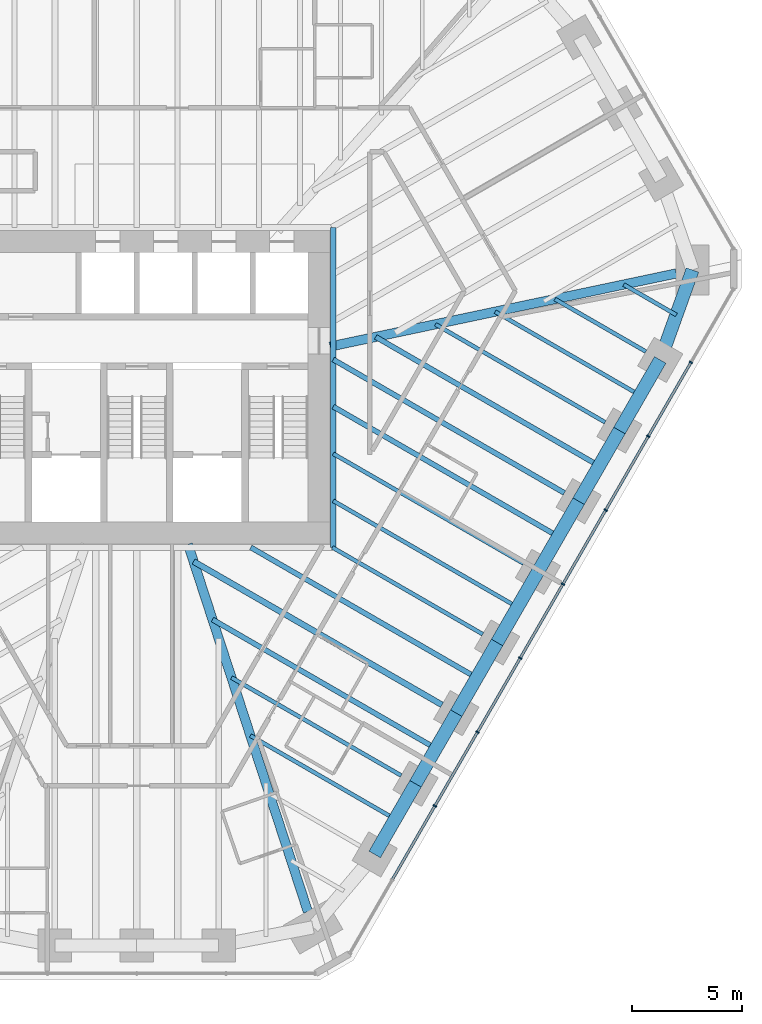
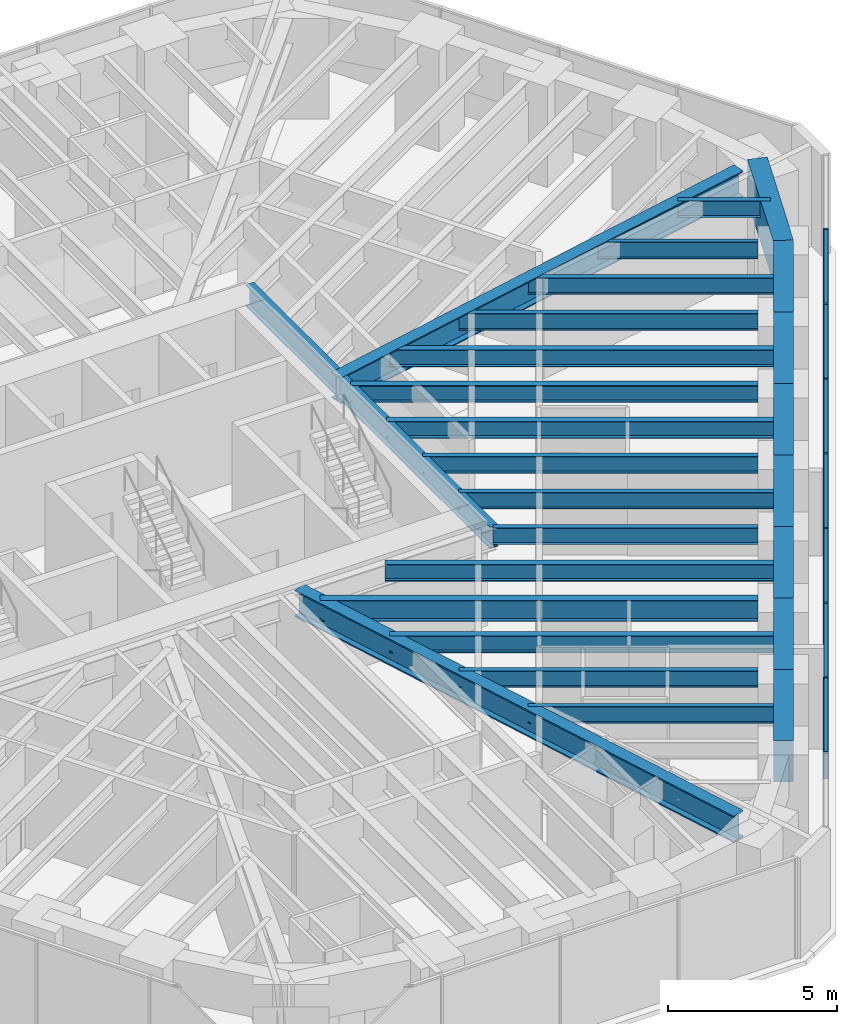
# One storey, part 5 of 16: 26 beams, 14 members, 1 element without a shape of its own.
"""IFC4 building model written with IfcOpenShell, lengths in metres."""

from ifc_helpers import new_model, si_unit, direction, frame, origin, origin_2d, place, context, subcontext, project, spatial, rectangle, i_section, extrude, material, material_profile, profile_set, type_object, element, aggregate, save


model = new_model("IFC4")

# Units and contexts
model_context = context("Model", 3, precision=1e-05, world=origin(), true_north=direction((0.0, 1.0)))
body_context = subcontext(model_context, "Body", "Model", "MODEL_VIEW")
ifc_project = project(units=[si_unit("LENGTHUNIT", "METRE"), si_unit("AREAUNIT", "SQUARE_METRE"), si_unit("VOLUMEUNIT", "CUBIC_METRE"), si_unit("PLANEANGLEUNIT", "RADIAN"), si_unit("MASSUNIT", "GRAM", prefix="KILO")], contexts=[model_context])

# Site, building, storey
site_placement = place(None, origin())
site = spatial("IfcSite", under=ifc_project, at=site_placement, CompositionType="ELEMENT")
building_placement = place(site_placement, origin())
building = spatial("IfcBuilding", under=site, at=building_placement, Name="Sandreach Pilgrim Tower", CompositionType="ELEMENT")
storey_placement = place(building_placement, frame((0.0, 0.0, 228.800048828125)))
storey = spatial("IfcBuildingStorey", under=building, at=storey_placement, Name="L57", CompositionType="ELEMENT", Elevation=228.800048828125)

# Curtain wall, members
ifc_material_1 = material(Name="Aluminium framed curtain wall", Category="aluminium")
curtain_wall_type = type_object("IfcCurtainWallType", Name="Upper hotel tower curtain wall", PredefinedType="NOTDEFINED", material=ifc_material_1)
curtain_wall_placement = place(storey_placement, origin())
curtain_wall = element("IfcCurtainWall", 1, at=curtain_wall_placement, inside=storey, type_object=curtain_wall_type, Name="CW-3 L57 SE", PredefinedType="NOTDEFINED")
ifc_material_2 = material(Name="Aluminium extrusion", Category="aluminium")
ifc_material_profile_1 = material_profile(ifc_material_2, rectangle(XDim=0.06494140625, YDim=0.159912109375, at=origin_2d()), Name="CW-3M 65X160")
ifc_profile_set_1 = profile_set([ifc_material_profile_1], Name="Aluminium extrusion")
member_type_1 = type_object("IfcMemberType", Name="CW-3 mullion", PredefinedType="MULLION", material=ifc_profile_set_1)
member_1_placement = place(storey_placement, frame((25.087890625, 1.13330078125, 0.0), z_axis=(0.0, 0.0, 1.0), x_axis=(-0.5, -0.866025403784, 0.0)))
member_1 = element("IfcMember", 2, at=member_1_placement, type_object=member_type_1, Name="CW-3 mullion 2", PredefinedType="MULLION", context=body_context, shape_type="SweptSolid", body=[
    extrude(rectangle(XDim=0.06494140625, YDim=0.159912109375, at=origin_2d()), origin(), (0.0, 0.0, 1.0), 3.639892578125),
])
member_2_placement = place(storey_placement, frame((23.15576171875, -2.21337890625, 0.0), z_axis=(0.0, 0.0, 1.0), x_axis=(-0.5, -0.866025403784, 0.0)))
member_2 = element("IfcMember", 3, at=member_2_placement, type_object=member_type_1, Name="CW-3 mullion 3", PredefinedType="MULLION", context=body_context, shape_type="SweptSolid", body=[
    extrude(rectangle(XDim=0.06494140625, YDim=0.159912109375, at=origin_2d()), origin(), (0.0, 0.0, 1.0), 3.639892578125),
])
member_3_placement = place(storey_placement, frame((21.223388671875, -5.56005859375, 0.0), z_axis=(0.0, 0.0, 1.0), x_axis=(-0.5, -0.866025403784, 0.0)))
member_3 = element("IfcMember", 4, at=member_3_placement, type_object=member_type_1, Name="CW-3 mullion 4", PredefinedType="MULLION", context=body_context, shape_type="SweptSolid", body=[
    extrude(rectangle(XDim=0.06494140625, YDim=0.159912109375, at=origin_2d()), origin(), (0.0, 0.0, 1.0), 3.639892578125),
])
member_4_placement = place(storey_placement, frame((19.291259765625, -8.90673828125, 0.0), z_axis=(0.0, 0.0, 1.0), x_axis=(-0.5, -0.866025403784, 0.0)))
member_4 = element("IfcMember", 5, at=member_4_placement, type_object=member_type_1, Name="CW-3 mullion 5", PredefinedType="MULLION", context=body_context, shape_type="SweptSolid", body=[
    extrude(rectangle(XDim=0.06494140625, YDim=0.159912109375, at=origin_2d()), origin(), (0.0, 0.0, 1.0), 3.639892578125),
])
member_5_placement = place(storey_placement, frame((17.359130859375, -12.25341796875, 0.0), z_axis=(0.0, 0.0, 1.0), x_axis=(-0.5, -0.866025403784, 0.0)))
member_5 = element("IfcMember", 6, at=member_5_placement, type_object=member_type_1, Name="CW-3 mullion 6", PredefinedType="MULLION", context=body_context, shape_type="SweptSolid", body=[
    extrude(rectangle(XDim=0.06494140625, YDim=0.159912109375, at=origin_2d()), origin(), (0.0, 0.0, 1.0), 3.639892578125),
])
member_6_placement = place(storey_placement, frame((15.4267578125, -15.60009765625, 0.0), z_axis=(0.0, 0.0, 1.0), x_axis=(-0.5, -0.866025403784, 0.0)))
member_6 = element("IfcMember", 7, at=member_6_placement, type_object=member_type_1, Name="CW-3 mullion 7", PredefinedType="MULLION", context=body_context, shape_type="SweptSolid", body=[
    extrude(rectangle(XDim=0.06494140625, YDim=0.159912109375, at=origin_2d()), origin(), (0.0, 0.0, 1.0), 3.639892578125),
])
member_7_placement = place(storey_placement, frame((13.49462890625, -18.94677734375, 0.0), z_axis=(0.0, 0.0, 1.0), x_axis=(-0.5, -0.866025403784, 0.0)))
member_7 = element("IfcMember", 8, at=member_7_placement, type_object=member_type_1, Name="CW-3 mullion 8", PredefinedType="MULLION", context=body_context, shape_type="SweptSolid", body=[
    extrude(rectangle(XDim=0.06494140625, YDim=0.159912109375, at=origin_2d()), origin(), (0.0, 0.0, 1.0), 3.639892578125),
])
ifc_material_3 = material(Name="Aluminium extrusion", Category="aluminium")
ifc_material_profile_2 = material_profile(ifc_material_3, rectangle(XDim=0.1201171875, YDim=0.070068359375, at=origin_2d()), Name="CW-3T 120X70")
ifc_profile_set_2 = profile_set([ifc_material_profile_2], Name="Aluminium extrusion")
member_type_2 = type_object("IfcMemberType", Name="CW-3 transom", PredefinedType="USERDEFINED", material=ifc_profile_set_2)
member_8_placement = place(storey_placement, frame((25.07177734375, 1.105224609375, 3.60498046875), z_axis=(-0.500022797313, -0.86601224135, 0.0), x_axis=(0.86601224135, -0.500022797313, 0.0)))
member_8 = element("IfcMember", 9, at=member_8_placement, type_object=member_type_2, Name="CW-3 head transom 2", ObjectType="TRANSOM", PredefinedType="USERDEFINED", context=body_context, shape_type="SweptSolid", body=[
    extrude(rectangle(XDim=0.1201171875, YDim=0.070068359375, at=origin_2d()), origin(), (0.0, 0.0, 1.0), 3.799560546875),
])
member_9_placement = place(storey_placement, frame((23.139404296875, -2.241455078125, 3.60498046875), z_axis=(-0.499974606132, -0.866040064445, 0.0), x_axis=(0.866040064445, -0.499974606132, 0.0)))
member_9 = element("IfcMember", 10, at=member_9_placement, type_object=member_type_2, Name="CW-3 head transom 3", ObjectType="TRANSOM", PredefinedType="USERDEFINED", context=body_context, shape_type="SweptSolid", body=[
    extrude(rectangle(XDim=0.1201171875, YDim=0.070068359375, at=origin_2d()), origin(), (0.0, 0.0, 1.0), 3.799560546875),
])
member_10_placement = place(storey_placement, frame((21.207275390625, -5.588134765625, 3.60498046875), z_axis=(-0.499974606132, -0.866040064445, 0.0), x_axis=(0.866040064445, -0.499974606132, 0.0)))
member_10 = element("IfcMember", 11, at=member_10_placement, type_object=member_type_2, Name="CW-3 head transom 4", ObjectType="TRANSOM", PredefinedType="USERDEFINED", context=body_context, shape_type="SweptSolid", body=[
    extrude(rectangle(XDim=0.1201171875, YDim=0.070068359375, at=origin_2d()), origin(), (0.0, 0.0, 1.0), 3.799560546875),
])
member_11_placement = place(storey_placement, frame((19.275146484375, -8.934814453125, 3.60498046875), z_axis=(-0.500022797313, -0.86601224135, 0.0), x_axis=(0.86601224135, -0.500022797313, 0.0)))
member_11 = element("IfcMember", 12, at=member_11_placement, type_object=member_type_2, Name="CW-3 head transom 5", ObjectType="TRANSOM", PredefinedType="USERDEFINED", context=body_context, shape_type="SweptSolid", body=[
    extrude(rectangle(XDim=0.1201171875, YDim=0.070068359375, at=origin_2d()), origin(), (0.0, 0.0, 1.0), 3.799560546875),
])
member_12_placement = place(storey_placement, frame((17.3427734375, -12.281494140625, 3.60498046875), z_axis=(-0.499974606132, -0.866040064445, 0.0), x_axis=(0.866040064445, -0.499974606132, 0.0)))
member_12 = element("IfcMember", 13, at=member_12_placement, type_object=member_type_2, Name="CW-3 head transom 6", ObjectType="TRANSOM", PredefinedType="USERDEFINED", context=body_context, shape_type="SweptSolid", body=[
    extrude(rectangle(XDim=0.1201171875, YDim=0.070068359375, at=origin_2d()), origin(), (0.0, 0.0, 1.0), 3.799560546875),
])
member_13_placement = place(storey_placement, frame((15.41064453125, -15.628173828125, 3.60498046875), z_axis=(-0.499974606132, -0.866040064445, 0.0), x_axis=(0.866040064445, -0.499974606132, 0.0)))
member_13 = element("IfcMember", 14, at=member_13_placement, type_object=member_type_2, Name="CW-3 head transom 7", ObjectType="TRANSOM", PredefinedType="USERDEFINED", context=body_context, shape_type="SweptSolid", body=[
    extrude(rectangle(XDim=0.1201171875, YDim=0.070068359375, at=origin_2d()), origin(), (0.0, 0.0, 1.0), 3.799560546875),
])
member_14_placement = place(storey_placement, frame((13.478515625, -18.974853515625, 3.60498046875), z_axis=(-0.500022797313, -0.86601224135, 0.0), x_axis=(0.86601224135, -0.500022797313, 0.0)))
member_14 = element("IfcMember", 15, at=member_14_placement, type_object=member_type_2, Name="CW-3 head transom 8", ObjectType="TRANSOM", PredefinedType="USERDEFINED", context=body_context, shape_type="SweptSolid", body=[
    extrude(rectangle(XDim=0.1201171875, YDim=0.070068359375, at=origin_2d()), origin(), (0.0, 0.0, 1.0), 3.799560546875),
])
aggregate(curtain_wall, [member_1, member_2, member_3, member_4, member_5, member_6, member_7, member_8, member_9, member_10, member_11, member_12, member_13, member_14])

# Beams
ifc_material_4 = material(Name="Steel ASTM A992 Grade 50", Category="steel")
ifc_material_profile_3 = material_profile(ifc_material_4, i_section(OverallWidth=0.2666015625, OverallDepth=0.77978515625, WebThickness=0.0166015625, FlangeThickness=0.030029296875, at=origin_2d()), Name="W30X148")
ifc_profile_set_3 = profile_set([ifc_material_profile_3], Name="Steel ASTM A992 Grade 50")
beam_type_1 = type_object("IfcBeamType", Name="Core edge beam W30X148", PredefinedType="BEAM", material=ifc_profile_set_3)
beam_1_placement = place(storey_placement, frame((8.893310546875, 7.243408203125, 3.25), z_axis=(0.0, -1.0, 0.0), x_axis=(1.0, 0.0, 0.0)))
element("IfcBeam", 16, at=beam_1_placement, inside=storey, type_object=beam_type_1, Name="BM L57 CEE", PredefinedType="BEAM", context=body_context, shape_type="SweptSolid", body=[
    extrude(i_section(OverallWidth=0.2666015625, OverallDepth=0.77978515625, WebThickness=0.0166015625, FlangeThickness=0.030029296875, at=origin_2d()), origin(), (0.0, 0.0, 1.0), 14.48681640625),
])
ifc_material_5 = material(Name="Steel ASTM A992 Grade 50", Category="steel")
ifc_material_profile_4 = material_profile(ifc_material_5, i_section(OverallWidth=0.421630859375, OverallDepth=0.937255859375, WebThickness=0.0224609375, FlangeThickness=0.039794921875, at=origin_2d()), Name="W36X282")
ifc_profile_set_4 = profile_set([ifc_material_profile_4], Name="Steel ASTM A992 Grade 50")
beam_type_2 = type_object("IfcBeamType", Name="Corner girder W36X282", PredefinedType="BEAM", material=ifc_profile_set_4)
beam_2_placement = place(storey_placement, frame((24.422607421875, 5.156494140625, 3.17138671875), z_axis=(-0.978428978804, -0.206583478132, 0.0), x_axis=(0.206583478132, -0.978428978804, 0.0)))
element("IfcBeam", 17, at=beam_2_placement, inside=storey, type_object=beam_type_2, Name="BM L57 CG13", PredefinedType="BEAM", context=body_context, shape_type="SweptSolid", body=[
    extrude(i_section(OverallWidth=0.421630859375, OverallDepth=0.937255859375, WebThickness=0.0224609375, FlangeThickness=0.039794921875, at=origin_2d()), origin(), (0.0, 0.0, 1.0), 16.01806640625),
])
ifc_material_6 = material(Name="Steel ASTM A992 Grade 50", Category="steel")
ifc_material_profile_5 = material_profile(ifc_material_6, i_section(OverallWidth=0.421630859375, OverallDepth=0.95751953125, WebThickness=0.02587890625, FlangeThickness=0.046875, at=origin_2d()), Name="W36X330")
ifc_profile_set_5 = profile_set([ifc_material_profile_5], Name="Steel ASTM A992 Grade 50")
beam_type_3 = type_object("IfcBeamType", Name="Corner girder W36X330", PredefinedType="BEAM", material=ifc_profile_set_5)
beam_3_placement = place(storey_placement, frame((7.745849609375, -23.72900390625, 3.1611328125), z_axis=(-0.310317870968, 0.950632851819, 0.0), x_axis=(-0.950632851819, -0.310317870968, 0.0)))
element("IfcBeam", 18, at=beam_3_placement, inside=storey, type_object=beam_type_3, Name="BM L57 CG22", PredefinedType="BEAM", context=body_context, shape_type="SweptSolid", body=[
    extrude(i_section(OverallWidth=0.421630859375, OverallDepth=0.95751953125, WebThickness=0.02587890625, FlangeThickness=0.046875, at=origin_2d()), origin(), (0.0, 0.0, 1.0), 17.492431640625),
])
ifc_material_7 = material(Name="Steel ASTM A992 Grade 50", Category="steel")
ifc_material_profile_6 = material_profile(ifc_material_7, i_section(OverallWidth=0.1787109375, OverallDepth=0.60205078125, WebThickness=0.010986328125, FlangeThickness=0.014892578125, at=origin_2d()), Name="W24X62")
ifc_profile_set_6 = profile_set([ifc_material_profile_6], Name="Steel ASTM A992 Grade 50")
beam_type_4 = type_object("IfcBeamType", Name="Floor beam W24X62", PredefinedType="BEAM", material=ifc_profile_set_6)
beam_4_placement = place(storey_placement, frame((23.04638671875, 1.6171875, 3.3388671875), z_axis=(-0.86603347311, 0.499986023258, 0.0), x_axis=(-0.499986023258, -0.86603347311, 0.0)))
element("IfcBeam", 19, at=beam_4_placement, inside=storey, type_object=beam_type_4, Name="BM L57 F14", PredefinedType="BEAM", context=body_context, shape_type="SweptSolid", body=[
    extrude(i_section(OverallWidth=0.1787109375, OverallDepth=0.60205078125, WebThickness=0.010986328125, FlangeThickness=0.014892578125, at=origin_2d()), origin(), (0.0, 0.0, 1.0), 4.757568359375),
])
beam_5_placement = place(storey_placement, frame((21.2001953125, -1.58056640625, 3.3388671875), z_axis=(-0.866027448082, 0.499996459156, 0.0), x_axis=(-0.499996459156, -0.866027448082, 0.0)))
element("IfcBeam", 20, at=beam_5_placement, inside=storey, type_object=beam_type_4, Name="BM L57 F15", PredefinedType="BEAM", context=body_context, shape_type="SweptSolid", body=[
    extrude(i_section(OverallWidth=0.1787109375, OverallDepth=0.60205078125, WebThickness=0.010986328125, FlangeThickness=0.014892578125, at=origin_2d()), origin(), (0.0, 0.0, 1.0), 8.86962890625),
])
beam_6_placement = place(storey_placement, frame((17.507568359375, -7.97607421875, 3.3388671875), z_axis=(-0.866027815265, 0.499995823171, 0.0), x_axis=(-0.499995823171, -0.866027815265, 0.0)))
element("IfcBeam", 21, at=beam_6_placement, inside=storey, type_object=beam_type_4, Name="BM L57 F17", PredefinedType="BEAM", context=body_context, shape_type="SweptSolid", body=[
    extrude(i_section(OverallWidth=0.1787109375, OverallDepth=0.60205078125, WebThickness=0.010986328125, FlangeThickness=0.014892578125, at=origin_2d()), origin(), (0.0, 0.0, 1.0), 9.94677734375),
])
beam_7_placement = place(storey_placement, frame((15.661376953125, -11.173828125, 3.3388671875), z_axis=(-0.866038711524, 0.49997694961, 0.0), x_axis=(-0.49997694961, -0.866038711524, 0.0)))
element("IfcBeam", 22, at=beam_7_placement, inside=storey, type_object=beam_type_4, Name="BM L57 F18", PredefinedType="BEAM", context=body_context, shape_type="SweptSolid", body=[
    extrude(i_section(OverallWidth=0.1787109375, OverallDepth=0.60205078125, WebThickness=0.010986328125, FlangeThickness=0.014892578125, at=origin_2d()), origin(), (0.0, 0.0, 1.0), 7.861083984375),
])
beam_8_placement = place(storey_placement, frame((11.96875, -17.569580078125, 3.3388671875), z_axis=(-0.866020566617, 0.500008378126, 0.0), x_axis=(-0.500008378126, -0.866020566617, 0.0)))
element("IfcBeam", 23, at=beam_8_placement, inside=storey, type_object=beam_type_4, Name="BM L57 F20", PredefinedType="BEAM", context=body_context, shape_type="SweptSolid", body=[
    extrude(i_section(OverallWidth=0.1787109375, OverallDepth=0.60205078125, WebThickness=0.010986328125, FlangeThickness=0.014892578125, at=origin_2d()), origin(), (0.0, 0.0, 1.0), 8.869384765625),
])
beam_9_placement = place(storey_placement, frame((24.42626953125, 3.27685546875, 3.3388671875), z_axis=(-0.866046803606, 0.49996293259, 0.0), x_axis=(-0.49996293259, -0.866046803606, 0.0)))
element("IfcBeam", 24, at=beam_9_placement, inside=storey, type_object=beam_type_4, Name="BM L57 FM13", PredefinedType="BEAM", context=body_context, shape_type="SweptSolid", body=[
    extrude(i_section(OverallWidth=0.1787109375, OverallDepth=0.60205078125, WebThickness=0.010986328125, FlangeThickness=0.014892578125, at=origin_2d()), origin(), (0.0, 0.0, 1.0), 2.753662109375),
])
beam_10_placement = place(storey_placement, frame((22.772705078125, -0.356689453125, 3.3388671875), z_axis=(-0.866029704776, 0.49999255039, 0.0), x_axis=(-0.49999255039, -0.866029704776, 0.0)))
element("IfcBeam", 25, at=beam_10_placement, inside=storey, type_object=beam_type_4, Name="BM L57 FM14", PredefinedType="BEAM", context=body_context, shape_type="SweptSolid", body=[
    extrude(i_section(OverallWidth=0.1787109375, OverallDepth=0.60205078125, WebThickness=0.010986328125, FlangeThickness=0.014892578125, at=origin_2d()), origin(), (0.0, 0.0, 1.0), 7.5634765625),
])
beam_11_placement = place(storey_placement, frame((17.23388671875, -9.949951171875, 3.3388671875), z_axis=(-0.866025593094, 0.499999672107, 0.0), x_axis=(-0.499999672107, -0.866025593094, 0.0)))
element("IfcBeam", 26, at=beam_11_placement, inside=storey, type_object=beam_type_4, Name="BM L57 FM17", PredefinedType="BEAM", context=body_context, shape_type="SweptSolid", body=[
    extrude(i_section(OverallWidth=0.1787109375, OverallDepth=0.60205078125, WebThickness=0.010986328125, FlangeThickness=0.014892578125, at=origin_2d()), origin(), (0.0, 0.0, 1.0), 9.630859375),
])
beam_12_placement = place(storey_placement, frame((11.6953125, -19.54345703125, 3.3388671875), z_axis=(-0.866029704776, 0.49999255039, 0.0), x_axis=(-0.49999255039, -0.866029704776, 0.0)))
element("IfcBeam", 27, at=beam_12_placement, inside=storey, type_object=beam_type_4, Name="BM L57 FM20", PredefinedType="BEAM", context=body_context, shape_type="SweptSolid", body=[
    extrude(i_section(OverallWidth=0.1787109375, OverallDepth=0.60205078125, WebThickness=0.010986328125, FlangeThickness=0.014892578125, at=origin_2d()), origin(), (0.0, 0.0, 1.0), 7.5634765625),
])
ifc_material_8 = material(Name="Steel ASTM A992 Grade 50", Category="steel")
ifc_material_profile_7 = material_profile(ifc_material_8, i_section(OverallWidth=0.23046875, OverallDepth=0.6171875, WebThickness=0.01318359375, FlangeThickness=0.022216796875, at=origin_2d()), Name="W24X94")
ifc_profile_set_7 = profile_set([ifc_material_profile_7], Name="Steel ASTM A992 Grade 50")
beam_type_5 = type_object("IfcBeamType", Name="Floor beam W24X94", PredefinedType="BEAM", material=ifc_profile_set_7)
beam_13_placement = place(storey_placement, frame((19.353759765625, -4.7783203125, 3.331298828125), z_axis=(-0.866026713419, 0.49999773164, 0.0), x_axis=(-0.49999773164, -0.866026713419, 0.0)))
element("IfcBeam", 28, at=beam_13_placement, inside=storey, type_object=beam_type_5, Name="BM L57 F16", PredefinedType="BEAM", context=body_context, shape_type="SweptSolid", body=[
    extrude(i_section(OverallWidth=0.23046875, OverallDepth=0.6171875, WebThickness=0.01318359375, FlangeThickness=0.022216796875, at=origin_2d()), origin(), (0.0, 0.0, 1.0), 12.07861328125),
])
beam_14_placement = place(storey_placement, frame((20.926513671875, -3.554443359375, 3.331298828125), z_axis=(-0.866026454974, 0.499998179282, 0.0), x_axis=(-0.499998179282, -0.866026454974, 0.0)))
element("IfcBeam", 29, at=beam_14_placement, inside=storey, type_object=beam_type_5, Name="BM L57 FM15", PredefinedType="BEAM", context=body_context, shape_type="SweptSolid", body=[
    extrude(i_section(OverallWidth=0.23046875, OverallDepth=0.6171875, WebThickness=0.01318359375, FlangeThickness=0.022216796875, at=origin_2d()), origin(), (0.0, 0.0, 1.0), 11.67578125),
])
beam_15_placement = place(storey_placement, frame((19.080322265625, -6.752197265625, 3.331298828125), z_axis=(-0.866030053141, 0.499991946992, 0.0), x_axis=(-0.499991946992, -0.866030053141, 0.0)))
element("IfcBeam", 30, at=beam_15_placement, inside=storey, type_object=beam_type_5, Name="BM L57 FM16", PredefinedType="BEAM", context=body_context, shape_type="SweptSolid", body=[
    extrude(i_section(OverallWidth=0.23046875, OverallDepth=0.6171875, WebThickness=0.01318359375, FlangeThickness=0.022216796875, at=origin_2d()), origin(), (0.0, 0.0, 1.0), 11.762939453125),
])
beam_16_placement = place(storey_placement, frame((15.3876953125, -13.14794921875, 3.331298828125), z_axis=(-0.866022050506, 0.500005808004, 0.0), x_axis=(-0.500005808004, -0.866022050506, 0.0)))
element("IfcBeam", 31, at=beam_16_placement, inside=storey, type_object=beam_type_5, Name="BM L57 FM18", PredefinedType="BEAM", context=body_context, shape_type="SweptSolid", body=[
    extrude(i_section(OverallWidth=0.23046875, OverallDepth=0.6171875, WebThickness=0.01318359375, FlangeThickness=0.022216796875, at=origin_2d()), origin(), (0.0, 0.0, 1.0), 11.808837890625),
])
beam_17_placement = place(storey_placement, frame((13.54150390625, -16.345703125, 3.331298828125), z_axis=(-0.866026454974, 0.499998179282, 0.0), x_axis=(-0.499998179282, -0.866026454974, 0.0)))
element("IfcBeam", 32, at=beam_17_placement, inside=storey, type_object=beam_type_5, Name="BM L57 FM19", PredefinedType="BEAM", context=body_context, shape_type="SweptSolid", body=[
    extrude(i_section(OverallWidth=0.23046875, OverallDepth=0.6171875, WebThickness=0.01318359375, FlangeThickness=0.022216796875, at=origin_2d()), origin(), (0.0, 0.0, 1.0), 11.67578125),
])
ifc_material_9 = material(Name="Steel ASTM A992 Grade 50", Category="steel")
ifc_material_profile_8 = material_profile(ifc_material_9, i_section(OverallWidth=0.2666015625, OverallDepth=0.761962890625, WebThickness=0.014404296875, FlangeThickness=0.021484375, at=origin_2d()), Name="W30X116")
ifc_profile_set_8 = profile_set([ifc_material_profile_8], Name="Steel ASTM A992 Grade 50")
beam_type_6 = type_object("IfcBeamType", Name="Floor beam W30X116", PredefinedType="BEAM", material=ifc_profile_set_8)
beam_18_placement = place(storey_placement, frame((13.815185546875, -14.371826171875, 3.259033203125), z_axis=(-0.866025240073, 0.500000283557, 0.0), x_axis=(-0.500000283557, -0.866025240073, 0.0)))
element("IfcBeam", 33, at=beam_18_placement, inside=storey, type_object=beam_type_6, Name="BM L57 F19", PredefinedType="BEAM", context=body_context, shape_type="SweptSolid", body=[
    extrude(i_section(OverallWidth=0.2666015625, OverallDepth=0.761962890625, WebThickness=0.014404296875, FlangeThickness=0.021484375, at=origin_2d()), origin(), (0.0, 0.0, 1.0), 12.98193359375),
])
ifc_material_10 = material(Name="Concrete 10000 psi", Category="concrete")
ifc_material_profile_9 = material_profile(ifc_material_10, rectangle(XDim=0.60009765625, YDim=1.5, at=origin_2d()), Name="RC600X1500")
ifc_profile_set_9 = profile_set([ifc_material_profile_9], Name="Concrete 10000 psi")
beam_type_7 = type_object("IfcBeamType", Name="Spandrel beam RC600X1500", PredefinedType="SPANDREL", material=ifc_profile_set_9)
beam_19_placement = place(storey_placement, frame((25.156494140625, 5.311279296875, 2.889892578125), z_axis=(-0.337863470932, -0.941195131208, 0.0), x_axis=(0.941195131208, -0.337863470932, 0.0)))
element("IfcBeam", 34, at=beam_19_placement, inside=storey, type_object=beam_type_7, Name="BM L57 SP13", PredefinedType="SPANDREL", context=body_context, shape_type="SweptSolid", body=[
    extrude(rectangle(XDim=0.60009765625, YDim=1.5, at=origin_2d()), origin(), (0.0, 0.0, 1.0), 4.3232421875),
])
for number, where, z_axis, x_axis, name in (
    (35, (23.69580078125, 1.2421875, 2.889892578125), (-0.499993363642, -0.866029235253, 0.0), (0.866029235253, -0.499993363642, 0.0), "BM L57 SP14"),
    (36, (21.849609375, -1.95556640625, 2.889892578125), (-0.499993363642, -0.866029235253, 0.0), (0.866029235253, -0.499993363642, 0.0), "BM L57 SP15"),
    (37, (20.00341796875, -5.1533203125, 2.889892578125), (-0.499993363642, -0.866029235253, 0.0), (0.866029235253, -0.499993363642, 0.0), "BM L57 SP16"),
):
    element("IfcBeam", number, at=place(storey_placement, frame(where, z_axis=z_axis, x_axis=x_axis)), inside=storey, type_object=beam_type_7, Name=name, PredefinedType="SPANDREL", context=body_context, shape_type="SweptSolid", body=[
        extrude(rectangle(XDim=0.60009765625, YDim=1.5, at=origin_2d()), origin(), (0.0, 0.0, 1.0), 3.6923828125),
    ])
for number, where, z_axis, x_axis, name in (
    (38, (18.1572265625, -8.35107421875, 2.889892578125), (-0.500042951019, -0.866000604582, 0.0), (0.866000604582, -0.500042951019, 0.0), "BM L57 SP17"),
    (39, (16.310791015625, -11.548828125, 2.889892578125), (-0.49996473481, -0.866045763194, 0.0), (0.866045763194, -0.49996473481, 0.0), "BM L57 SP18"),
):
    element("IfcBeam", number, at=place(storey_placement, frame(where, z_axis=z_axis, x_axis=x_axis)), inside=storey, type_object=beam_type_7, Name=name, PredefinedType="SPANDREL", context=body_context, shape_type="SweptSolid", body=[
        extrude(rectangle(XDim=0.60009765625, YDim=1.5, at=origin_2d()), origin(), (0.0, 0.0, 1.0), 3.692626953125),
    ])
for number, where, z_axis, x_axis, name in (
    (40, (14.464599609375, -14.746826171875, 2.889892578125), (-0.499993363642, -0.866029235253, 0.0), (0.866029235253, -0.499993363642, 0.0), "BM L57 SP19"),
    (41, (12.618408203125, -17.944580078125, 2.889892578125), (-0.499993363642, -0.866029235253, 0.0), (0.866029235253, -0.499993363642, 0.0), "BM L57 SP20"),
):
    element("IfcBeam", number, at=place(storey_placement, frame(where, z_axis=z_axis, x_axis=x_axis)), inside=storey, type_object=beam_type_7, Name=name, PredefinedType="SPANDREL", context=body_context, shape_type="SweptSolid", body=[
        extrude(rectangle(XDim=0.60009765625, YDim=1.5, at=origin_2d()), origin(), (0.0, 0.0, 1.0), 3.6923828125),
    ])

save(model, "model.ifc")
